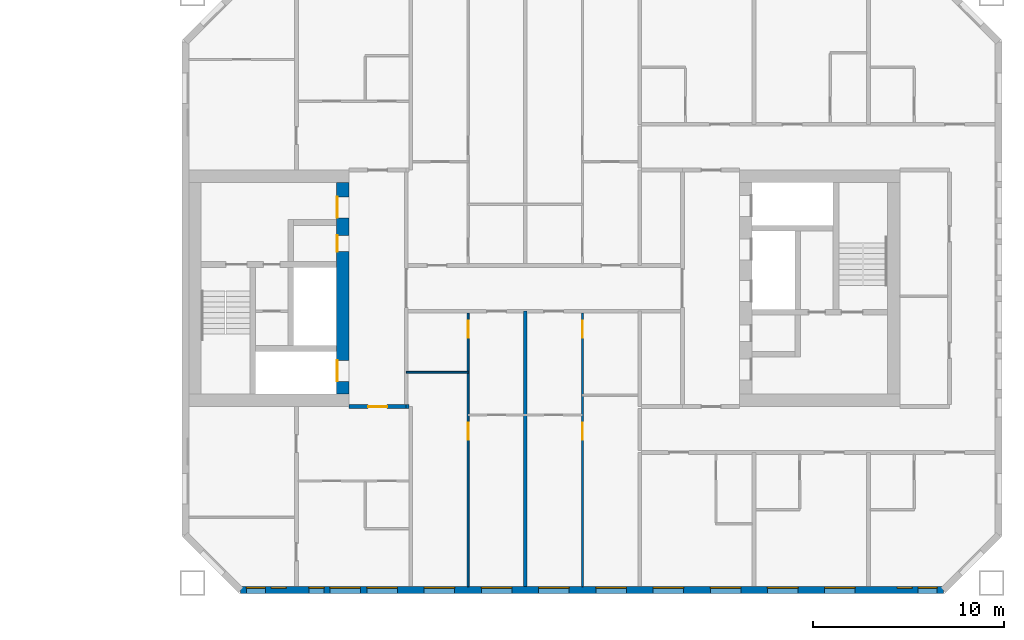
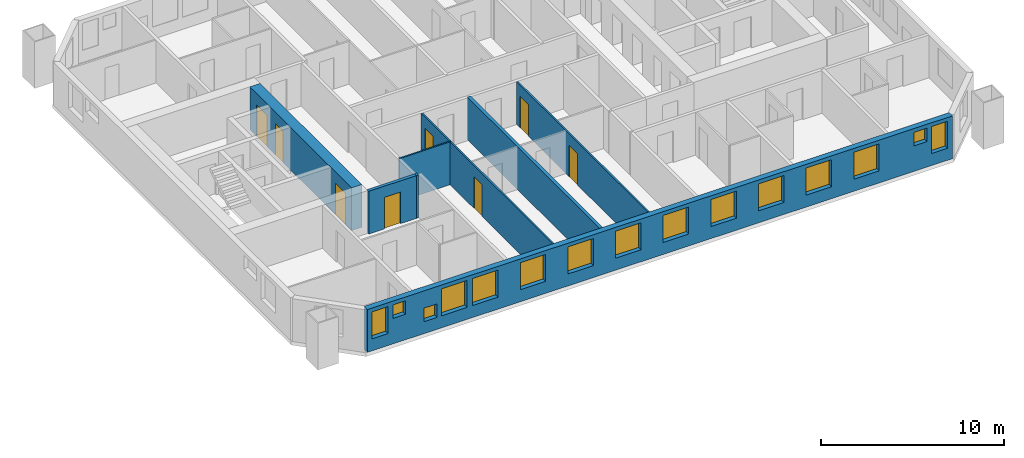
# One storey, part 10 of 17: 15 windows, 8 doors, 8 walls, 23 openings.
"""IFC4 building model written with IfcOpenShell, lengths in metres."""

from ifc_helpers import new_model, si_unit, direction, frame, frame_2d, origin, place, context, subcontext, project, spatial, rectangle, extrude, material, layer, layer_set, type_object, element, fill, save


model = new_model("IFC4")

# Units and contexts
model_context = context("Model", 3, precision=1e-05, world=origin(), true_north=direction((0.0, 1.0)))
body_context = subcontext(model_context, "Body", "Model", "MODEL_VIEW")
ifc_project = project(units=[si_unit("LENGTHUNIT", "METRE"), si_unit("AREAUNIT", "SQUARE_METRE"), si_unit("VOLUMEUNIT", "CUBIC_METRE"), si_unit("PLANEANGLEUNIT", "RADIAN"), si_unit("MASSUNIT", "GRAM", prefix="KILO")], contexts=[model_context])

# Site, building, storey
site_placement = place(None, origin())
site = spatial("IfcSite", under=ifc_project, at=site_placement, CompositionType="ELEMENT")
building_placement = place(site_placement, origin())
building = spatial("IfcBuilding", under=site, at=building_placement, Name="Tuart Gate Housing", CompositionType="ELEMENT")
storey_placement = place(building_placement, frame((0.0, 0.0, 99.5)))
storey = spatial("IfcBuildingStorey", under=building, at=storey_placement, Name="L27", CompositionType="ELEMENT", Elevation=99.5)

# Wall, openings, windows
ifc_material_1 = material(Name="Brick", Category="masonry")
ifc_layer_1 = layer(ifc_material_1, 0.360107421875)
ifc_layer_set_1 = layer_set([ifc_layer_1], Name="Brick pier and spandrel wall 360")
wall_type_1 = type_object("IfcWallType", Name="Brick pier and spandrel wall 360", PredefinedType="STANDARD", material=ifc_layer_set_1)
wall_1_placement = place(storey_placement, frame((134.07470703125, 54.179931640625, 0.0), z_axis=(0.0, 0.0, 1.0), x_axis=(1.0, 0.0, 0.0)))
wall_1 = element("IfcWall", 1, at=wall_1_placement, inside=storey, type_object=wall_type_1, Name="External wall B-S L27", PredefinedType="STANDARD", context=body_context, shape_type="SweptSolid", body=[
    extrude(rectangle(XDim=36.850830078125, YDim=0.360107421875, at=frame_2d((18.42529296875, 0.0))), origin(), (0.0, 0.0, 1.0), 2.85009765625),
])
opening_1_placement = place(wall_1_placement, frame((0.300048828125, 0.0, 0.800048828125)))
opening_1 = element("IfcOpeningElement", 2, at=opening_1_placement, cuts=wall_1, Name="Opening W1C", PredefinedType="OPENING", context=body_context, shape_type="SweptSolid", body=[
    extrude(rectangle(XDim=1.0, YDim=1.800048828125, at=frame_2d((0.5, 0.89990234375))), frame((0.0, 0.18994140625, 0.0), z_axis=(0.0, -1.0, 0.0), x_axis=(1.0, 0.0, 0.0)), (0.0, 0.0, 1.0), 0.380126953125),
])
opening_2_placement = place(wall_1_placement, frame((3.575439453125, 0.0, 0.800048828125)))
opening_2 = element("IfcOpeningElement", 3, at=opening_2_placement, cuts=wall_1, Name="Opening W1V", PredefinedType="OPENING", context=body_context, shape_type="SweptSolid", body=[
    extrude(rectangle(XDim=0.800048828125, YDim=0.89990234375, at=frame_2d((0.39990234375, 0.449951171875))), frame((0.0, 0.18994140625, 0.0), z_axis=(0.0, -1.0, 0.0), x_axis=(1.0, 0.0, 0.0)), (0.0, 0.0, 1.0), 0.380126953125),
])
opening_3_placement = place(wall_1_placement, frame((6.62548828125, 0.0, 0.800048828125)))
opening_3 = element("IfcOpeningElement", 4, at=opening_3_placement, cuts=wall_1, Name="Opening W1", PredefinedType="OPENING", context=body_context, shape_type="SweptSolid", body=[
    extrude(rectangle(XDim=1.60009765625, YDim=1.800048828125, at=frame_2d((0.800048828125, 0.89990234375))), frame((0.0, 0.18994140625, 0.0), z_axis=(0.0, -1.0, 0.0), x_axis=(1.0, 0.0, 0.0)), (0.0, 0.0, 1.0), 0.380126953125),
])
opening_4_placement = place(wall_1_placement, frame((9.62548828125, 0.0, 0.800048828125)))
opening_4 = element("IfcOpeningElement", 5, at=opening_4_placement, cuts=wall_1, Name="Opening W1", PredefinedType="OPENING", context=body_context, shape_type="SweptSolid", body=[
    extrude(rectangle(XDim=1.60009765625, YDim=1.800048828125, at=frame_2d((0.800048828125, 0.89990234375))), frame((0.0, 0.18994140625, 0.0), z_axis=(0.0, -1.0, 0.0), x_axis=(1.0, 0.0, 0.0)), (0.0, 0.0, 1.0), 0.380126953125),
])
opening_5_placement = place(wall_1_placement, frame((12.62548828125, 0.0, 0.800048828125)))
opening_5 = element("IfcOpeningElement", 6, at=opening_5_placement, cuts=wall_1, Name="Opening W1", PredefinedType="OPENING", context=body_context, shape_type="SweptSolid", body=[
    extrude(rectangle(XDim=1.60009765625, YDim=1.800048828125, at=frame_2d((0.800048828125, 0.89990234375))), frame((0.0, 0.18994140625, 0.0), z_axis=(0.0, -1.0, 0.0), x_axis=(1.0, 0.0, 0.0)), (0.0, 0.0, 1.0), 0.380126953125),
])
opening_6_placement = place(wall_1_placement, frame((15.62548828125, 0.0, 0.800048828125)))
opening_6 = element("IfcOpeningElement", 7, at=opening_6_placement, cuts=wall_1, Name="Opening W1", PredefinedType="OPENING", context=body_context, shape_type="SweptSolid", body=[
    extrude(rectangle(XDim=1.60009765625, YDim=1.800048828125, at=frame_2d((0.800048828125, 0.89990234375))), frame((0.0, 0.18994140625, 0.0), z_axis=(0.0, -1.0, 0.0), x_axis=(1.0, 0.0, 0.0)), (0.0, 0.0, 1.0), 0.380126953125),
])
opening_7_placement = place(wall_1_placement, frame((18.62548828125, 0.0, 0.800048828125)))
opening_7 = element("IfcOpeningElement", 8, at=opening_7_placement, cuts=wall_1, Name="Opening W1", PredefinedType="OPENING", context=body_context, shape_type="SweptSolid", body=[
    extrude(rectangle(XDim=1.60009765625, YDim=1.800048828125, at=frame_2d((0.800048828125, 0.89990234375))), frame((0.0, 0.18994140625, 0.0), z_axis=(0.0, -1.0, 0.0), x_axis=(1.0, 0.0, 0.0)), (0.0, 0.0, 1.0), 0.380126953125),
])
opening_8_placement = place(wall_1_placement, frame((21.62548828125, 0.0, 0.800048828125)))
opening_8 = element("IfcOpeningElement", 9, at=opening_8_placement, cuts=wall_1, Name="Opening W1", PredefinedType="OPENING", context=body_context, shape_type="SweptSolid", body=[
    extrude(rectangle(XDim=1.60009765625, YDim=1.800048828125, at=frame_2d((0.800048828125, 0.89990234375))), frame((0.0, 0.18994140625, 0.0), z_axis=(0.0, -1.0, 0.0), x_axis=(1.0, 0.0, 0.0)), (0.0, 0.0, 1.0), 0.380126953125),
])
opening_9_placement = place(wall_1_placement, frame((24.62548828125, 0.0, 0.800048828125)))
opening_9 = element("IfcOpeningElement", 10, at=opening_9_placement, cuts=wall_1, Name="Opening W1", PredefinedType="OPENING", context=body_context, shape_type="SweptSolid", body=[
    extrude(rectangle(XDim=1.60009765625, YDim=1.800048828125, at=frame_2d((0.800048828125, 0.89990234375))), frame((0.0, 0.18994140625, 0.0), z_axis=(0.0, -1.0, 0.0), x_axis=(1.0, 0.0, 0.0)), (0.0, 0.0, 1.0), 0.380126953125),
])
opening_10_placement = place(wall_1_placement, frame((27.62548828125, 0.0, 0.800048828125)))
opening_10 = element("IfcOpeningElement", 11, at=opening_10_placement, cuts=wall_1, Name="Opening W1", PredefinedType="OPENING", context=body_context, shape_type="SweptSolid", body=[
    extrude(rectangle(XDim=1.60009765625, YDim=1.800048828125, at=frame_2d((0.800048828125, 0.89990234375))), frame((0.0, 0.18994140625, 0.0), z_axis=(0.0, -1.0, 0.0), x_axis=(1.0, 0.0, 0.0)), (0.0, 0.0, 1.0), 0.380126953125),
])
opening_11_placement = place(wall_1_placement, frame((30.62548828125, 0.0, 0.800048828125)))
opening_11 = element("IfcOpeningElement", 12, at=opening_11_placement, cuts=wall_1, Name="Opening W1", PredefinedType="OPENING", context=body_context, shape_type="SweptSolid", body=[
    extrude(rectangle(XDim=1.60009765625, YDim=1.800048828125, at=frame_2d((0.800048828125, 0.89990234375))), frame((0.0, 0.18994140625, 0.0), z_axis=(0.0, -1.0, 0.0), x_axis=(1.0, 0.0, 0.0)), (0.0, 0.0, 1.0), 0.380126953125),
])
opening_12_placement = place(wall_1_placement, frame((34.42529296875, 0.0, 1.699951171875)))
opening_12 = element("IfcOpeningElement", 13, at=opening_12_placement, cuts=wall_1, Name="Opening W1V", PredefinedType="OPENING", context=body_context, shape_type="SweptSolid", body=[
    extrude(rectangle(XDim=0.800048828125, YDim=0.89990234375, at=frame_2d((0.39990234375, 0.449951171875))), frame((0.0, 0.18994140625, 0.0), z_axis=(0.0, -1.0, 0.0), x_axis=(1.0, 0.0, 0.0)), (0.0, 0.0, 1.0), 0.380126953125),
])
opening_13_placement = place(wall_1_placement, frame((1.60009765625, 0.0, 1.699951171875)))
opening_13 = element("IfcOpeningElement", 14, at=opening_13_placement, cuts=wall_1, Name="Opening W1V", PredefinedType="OPENING", context=body_context, shape_type="SweptSolid", body=[
    extrude(rectangle(XDim=0.800048828125, YDim=0.89990234375, at=frame_2d((0.39990234375, 0.449951171875))), frame((0.0, 0.18994140625, 0.0), z_axis=(0.0, -1.0, 0.0), x_axis=(1.0, 0.0, 0.0)), (0.0, 0.0, 1.0), 0.380126953125),
])
opening_14_placement = place(wall_1_placement, frame((4.67529296875, 0.0, 0.800048828125)))
opening_14 = element("IfcOpeningElement", 15, at=opening_14_placement, cuts=wall_1, Name="Opening W1", PredefinedType="OPENING", context=body_context, shape_type="SweptSolid", body=[
    extrude(rectangle(XDim=1.60009765625, YDim=1.800048828125, at=frame_2d((0.800048828125, 0.89990234375))), frame((0.0, 0.18994140625, 0.0), z_axis=(0.0, -1.0, 0.0), x_axis=(1.0, 0.0, 0.0)), (0.0, 0.0, 1.0), 0.380126953125),
])
opening_15_placement = place(wall_1_placement, frame((35.525390625, 0.0, 0.800048828125)))
opening_15 = element("IfcOpeningElement", 16, at=opening_15_placement, cuts=wall_1, Name="Opening W1C", PredefinedType="OPENING", context=body_context, shape_type="SweptSolid", body=[
    extrude(rectangle(XDim=1.0, YDim=1.800048828125, at=frame_2d((0.5, 0.89990234375))), frame((0.0, 0.18994140625, 0.0), z_axis=(0.0, -1.0, 0.0), x_axis=(1.0, 0.0, 0.0)), (0.0, 0.0, 1.0), 0.380126953125),
])
ifc_material_2 = material(Name="Aluminium frame with clear glass", Category="aluminium")
window_type_1 = type_object("IfcWindowType", Name="Punched window 1000 x 1800", PartitioningType="SINGLE_PANEL", PredefinedType="WINDOW", material=ifc_material_2)
window_1_placement = place(opening_1_placement, origin())
window_1 = element("IfcWindow", 17, at=window_1_placement, inside=storey, type_object=window_type_1, Name="Window W1C", OverallHeight=1.800048828125, OverallWidth=1.0, PartitioningType="SINGLE_PANEL", PredefinedType="WINDOW", context=body_context, shape_type="SweptSolid", body=[
    extrude(rectangle(XDim=1.0, YDim=1.800048828125, at=frame_2d((0.5, 0.89990234375))), frame((0.0, 0.150146484375, 0.0), z_axis=(0.0, -1.0, 0.0), x_axis=(1.0, 0.0, 0.0)), (0.0, 0.0, 1.0), 0.06005859375),
])
fill(opening_1, window_1)
window_2_placement = place(opening_15_placement, origin())
window_2 = element("IfcWindow", 18, at=window_2_placement, inside=storey, type_object=window_type_1, Name="Window W1C", OverallHeight=1.800048828125, OverallWidth=1.0, PartitioningType="SINGLE_PANEL", PredefinedType="WINDOW", context=body_context, shape_type="SweptSolid", body=[
    extrude(rectangle(XDim=1.0, YDim=1.800048828125, at=frame_2d((0.5, 0.89990234375))), frame((0.0, 0.150146484375, 0.0), z_axis=(0.0, -1.0, 0.0), x_axis=(1.0, 0.0, 0.0)), (0.0, 0.0, 1.0), 0.06005859375),
])
fill(opening_15, window_2)
ifc_material_3 = material(Name="Aluminium frame with clear glass", Category="aluminium")
window_type_2 = type_object("IfcWindowType", Name="Punched window 1600 x 1800", PartitioningType="SINGLE_PANEL", PredefinedType="WINDOW", material=ifc_material_3)
window_3_placement = place(opening_3_placement, origin())
window_3 = element("IfcWindow", 19, at=window_3_placement, inside=storey, type_object=window_type_2, Name="Window W1", OverallHeight=1.800048828125, OverallWidth=1.60009765625, PartitioningType="SINGLE_PANEL", PredefinedType="WINDOW", context=body_context, shape_type="SweptSolid", body=[
    extrude(rectangle(XDim=1.60009765625, YDim=1.800048828125, at=frame_2d((0.800048828125, 0.89990234375))), frame((0.0, 0.150146484375, 0.0), z_axis=(0.0, -1.0, 0.0), x_axis=(1.0, 0.0, 0.0)), (0.0, 0.0, 1.0), 0.06005859375),
])
fill(opening_3, window_3)
window_4_placement = place(opening_4_placement, origin())
window_4 = element("IfcWindow", 20, at=window_4_placement, inside=storey, type_object=window_type_2, Name="Window W1", OverallHeight=1.800048828125, OverallWidth=1.60009765625, PartitioningType="SINGLE_PANEL", PredefinedType="WINDOW", context=body_context, shape_type="SweptSolid", body=[
    extrude(rectangle(XDim=1.60009765625, YDim=1.800048828125, at=frame_2d((0.800048828125, 0.89990234375))), frame((0.0, 0.150146484375, 0.0), z_axis=(0.0, -1.0, 0.0), x_axis=(1.0, 0.0, 0.0)), (0.0, 0.0, 1.0), 0.06005859375),
])
fill(opening_4, window_4)
window_5_placement = place(opening_5_placement, origin())
window_5 = element("IfcWindow", 21, at=window_5_placement, inside=storey, type_object=window_type_2, Name="Window W1", OverallHeight=1.800048828125, OverallWidth=1.60009765625, PartitioningType="SINGLE_PANEL", PredefinedType="WINDOW", context=body_context, shape_type="SweptSolid", body=[
    extrude(rectangle(XDim=1.60009765625, YDim=1.800048828125, at=frame_2d((0.800048828125, 0.89990234375))), frame((0.0, 0.150146484375, 0.0), z_axis=(0.0, -1.0, 0.0), x_axis=(1.0, 0.0, 0.0)), (0.0, 0.0, 1.0), 0.06005859375),
])
fill(opening_5, window_5)
window_6_placement = place(opening_6_placement, origin())
window_6 = element("IfcWindow", 22, at=window_6_placement, inside=storey, type_object=window_type_2, Name="Window W1", OverallHeight=1.800048828125, OverallWidth=1.60009765625, PartitioningType="SINGLE_PANEL", PredefinedType="WINDOW", context=body_context, shape_type="SweptSolid", body=[
    extrude(rectangle(XDim=1.60009765625, YDim=1.800048828125, at=frame_2d((0.800048828125, 0.89990234375))), frame((0.0, 0.150146484375, 0.0), z_axis=(0.0, -1.0, 0.0), x_axis=(1.0, 0.0, 0.0)), (0.0, 0.0, 1.0), 0.06005859375),
])
fill(opening_6, window_6)
window_7_placement = place(opening_7_placement, origin())
window_7 = element("IfcWindow", 23, at=window_7_placement, inside=storey, type_object=window_type_2, Name="Window W1", OverallHeight=1.800048828125, OverallWidth=1.60009765625, PartitioningType="SINGLE_PANEL", PredefinedType="WINDOW", context=body_context, shape_type="SweptSolid", body=[
    extrude(rectangle(XDim=1.60009765625, YDim=1.800048828125, at=frame_2d((0.800048828125, 0.89990234375))), frame((0.0, 0.150146484375, 0.0), z_axis=(0.0, -1.0, 0.0), x_axis=(1.0, 0.0, 0.0)), (0.0, 0.0, 1.0), 0.06005859375),
])
fill(opening_7, window_7)
window_8_placement = place(opening_8_placement, origin())
window_8 = element("IfcWindow", 24, at=window_8_placement, inside=storey, type_object=window_type_2, Name="Window W1", OverallHeight=1.800048828125, OverallWidth=1.60009765625, PartitioningType="SINGLE_PANEL", PredefinedType="WINDOW", context=body_context, shape_type="SweptSolid", body=[
    extrude(rectangle(XDim=1.60009765625, YDim=1.800048828125, at=frame_2d((0.800048828125, 0.89990234375))), frame((0.0, 0.150146484375, 0.0), z_axis=(0.0, -1.0, 0.0), x_axis=(1.0, 0.0, 0.0)), (0.0, 0.0, 1.0), 0.06005859375),
])
fill(opening_8, window_8)
window_9_placement = place(opening_9_placement, origin())
window_9 = element("IfcWindow", 25, at=window_9_placement, inside=storey, type_object=window_type_2, Name="Window W1", OverallHeight=1.800048828125, OverallWidth=1.60009765625, PartitioningType="SINGLE_PANEL", PredefinedType="WINDOW", context=body_context, shape_type="SweptSolid", body=[
    extrude(rectangle(XDim=1.60009765625, YDim=1.800048828125, at=frame_2d((0.800048828125, 0.89990234375))), frame((0.0, 0.150146484375, 0.0), z_axis=(0.0, -1.0, 0.0), x_axis=(1.0, 0.0, 0.0)), (0.0, 0.0, 1.0), 0.06005859375),
])
fill(opening_9, window_9)
window_10_placement = place(opening_10_placement, origin())
window_10 = element("IfcWindow", 26, at=window_10_placement, inside=storey, type_object=window_type_2, Name="Window W1", OverallHeight=1.800048828125, OverallWidth=1.60009765625, PartitioningType="SINGLE_PANEL", PredefinedType="WINDOW", context=body_context, shape_type="SweptSolid", body=[
    extrude(rectangle(XDim=1.60009765625, YDim=1.800048828125, at=frame_2d((0.800048828125, 0.89990234375))), frame((0.0, 0.150146484375, 0.0), z_axis=(0.0, -1.0, 0.0), x_axis=(1.0, 0.0, 0.0)), (0.0, 0.0, 1.0), 0.06005859375),
])
fill(opening_10, window_10)
window_11_placement = place(opening_11_placement, origin())
window_11 = element("IfcWindow", 27, at=window_11_placement, inside=storey, type_object=window_type_2, Name="Window W1", OverallHeight=1.800048828125, OverallWidth=1.60009765625, PartitioningType="SINGLE_PANEL", PredefinedType="WINDOW", context=body_context, shape_type="SweptSolid", body=[
    extrude(rectangle(XDim=1.60009765625, YDim=1.800048828125, at=frame_2d((0.800048828125, 0.89990234375))), frame((0.0, 0.150146484375, 0.0), z_axis=(0.0, -1.0, 0.0), x_axis=(1.0, 0.0, 0.0)), (0.0, 0.0, 1.0), 0.06005859375),
])
fill(opening_11, window_11)
window_12_placement = place(opening_14_placement, origin())
window_12 = element("IfcWindow", 28, at=window_12_placement, inside=storey, type_object=window_type_2, Name="Window W1", OverallHeight=1.800048828125, OverallWidth=1.60009765625, PartitioningType="SINGLE_PANEL", PredefinedType="WINDOW", context=body_context, shape_type="SweptSolid", body=[
    extrude(rectangle(XDim=1.60009765625, YDim=1.800048828125, at=frame_2d((0.800048828125, 0.89990234375))), frame((0.0, 0.150146484375, 0.0), z_axis=(0.0, -1.0, 0.0), x_axis=(1.0, 0.0, 0.0)), (0.0, 0.0, 1.0), 0.06005859375),
])
fill(opening_14, window_12)
ifc_material_4 = material(Name="Aluminium frame with clear glass", Category="aluminium")
window_type_3 = type_object("IfcWindowType", Name="Punched window 800 x 900", PartitioningType="SINGLE_PANEL", PredefinedType="WINDOW", material=ifc_material_4)
window_13_placement = place(opening_2_placement, origin())
window_13 = element("IfcWindow", 29, at=window_13_placement, inside=storey, type_object=window_type_3, Name="Window W1V", OverallHeight=0.89990234375, OverallWidth=0.800048828125, PartitioningType="SINGLE_PANEL", PredefinedType="WINDOW", context=body_context, shape_type="SweptSolid", body=[
    extrude(rectangle(XDim=0.800048828125, YDim=0.89990234375, at=frame_2d((0.39990234375, 0.449951171875))), frame((0.0, 0.150146484375, 0.0), z_axis=(0.0, -1.0, 0.0), x_axis=(1.0, 0.0, 0.0)), (0.0, 0.0, 1.0), 0.06005859375),
])
fill(opening_2, window_13)
window_14_placement = place(opening_12_placement, origin())
window_14 = element("IfcWindow", 30, at=window_14_placement, inside=storey, type_object=window_type_3, Name="Window W1V", OverallHeight=0.89990234375, OverallWidth=0.800048828125, PartitioningType="SINGLE_PANEL", PredefinedType="WINDOW", context=body_context, shape_type="SweptSolid", body=[
    extrude(rectangle(XDim=0.800048828125, YDim=0.89990234375, at=frame_2d((0.39990234375, 0.449951171875))), frame((0.0, 0.150146484375, 0.0), z_axis=(0.0, -1.0, 0.0), x_axis=(1.0, 0.0, 0.0)), (0.0, 0.0, 1.0), 0.06005859375),
])
fill(opening_12, window_14)
window_15_placement = place(opening_13_placement, origin())
window_15 = element("IfcWindow", 31, at=window_15_placement, inside=storey, type_object=window_type_3, Name="Window W1V", OverallHeight=0.89990234375, OverallWidth=0.800048828125, PartitioningType="SINGLE_PANEL", PredefinedType="WINDOW", context=body_context, shape_type="SweptSolid", body=[
    extrude(rectangle(XDim=0.800048828125, YDim=0.89990234375, at=frame_2d((0.39990234375, 0.449951171875))), frame((0.0, 0.150146484375, 0.0), z_axis=(0.0, -1.0, 0.0), x_axis=(1.0, 0.0, 0.0)), (0.0, 0.0, 1.0), 0.06005859375),
])
fill(opening_13, window_15)

# Wall, openings, doors
ifc_material_5 = material(Name="Concrete C50", Category="concrete")
ifc_layer_2 = layer(ifc_material_5, 0.64990234375)
ifc_layer_set_2 = layer_set([ifc_layer_2], Name="Core wall 650 C50")
wall_type_2 = type_object("IfcWallType", Name="Core wall 650 C50", PredefinedType="SHEAR", material=ifc_layer_set_2)
wall_2_placement = place(storey_placement, frame((139.43505859375, 64.449951171875, 0.0), z_axis=(0.0, 0.0, 1.0), x_axis=(0.0, 1.0, 0.0)))
wall_2 = element("IfcWall", 32, at=wall_2_placement, inside=storey, type_object=wall_type_2, Name="Core wall BG front", PredefinedType="SHEAR", context=body_context, shape_type="SweptSolid", body=[
    extrude(rectangle(XDim=11.10009765625, YDim=0.64990234375, at=frame_2d((5.550048828125, 0.0))), origin(), (0.0, 0.0, 1.0), 2.85009765625),
])
opening_16_placement = place(wall_2_placement, frame((0.675048828125, 0.0, 0.0)))
opening_16 = element("IfcOpeningElement", 33, at=opening_16_placement, cuts=wall_2, Name="Opening LD-FB1", PredefinedType="OPENING", context=body_context, shape_type="SweptSolid", body=[
    extrude(rectangle(XDim=1.10009765625, YDim=2.10009765625, at=frame_2d((0.550048828125, 1.050048828125))), frame((0.0, 0.3349609375, 0.0), z_axis=(0.0, -1.0, 0.0), x_axis=(1.0, 0.0, 0.0)), (0.0, 0.0, 1.0), 0.669921875),
])
opening_17_placement = place(wall_2_placement, frame((9.25, 0.0, 0.0)))
opening_17 = element("IfcOpeningElement", 34, at=opening_17_placement, cuts=wall_2, Name="Opening D1147", PredefinedType="OPENING", context=body_context, shape_type="SweptSolid", body=[
    extrude(rectangle(XDim=1.10009765625, YDim=2.10009765625, at=frame_2d((0.550048828125, 1.050048828125))), frame((0.0, 0.3349609375, 0.0), z_axis=(0.0, -1.0, 0.0), x_axis=(1.0, 0.0, 0.0)), (0.0, 0.0, 1.0), 0.669921875),
])
opening_18_placement = place(wall_2_placement, frame((7.47509765625, 0.0, 0.0)))
opening_18 = element("IfcOpeningElement", 35, at=opening_18_placement, cuts=wall_2, Name="Opening D1148", PredefinedType="OPENING", context=body_context, shape_type="SweptSolid", body=[
    extrude(rectangle(XDim=0.85009765625, YDim=2.10009765625, at=frame_2d((0.425048828125, 1.050048828125))), frame((0.0, 0.3349609375, 0.0), z_axis=(0.0, -1.0, 0.0), x_axis=(1.0, 0.0, 0.0)), (0.0, 0.0, 1.0), 0.669921875),
])
ifc_material_6 = material(Name="Stainless steel", Category="steel")
door_type_1 = type_object("IfcDoorType", Name="Landing door 1100 x 2100", OperationType="DOUBLE_DOOR_SLIDING", PredefinedType="DOOR", material=ifc_material_6)
door_1_placement = place(opening_16_placement, origin())
door_1 = element("IfcDoor", 36, at=door_1_placement, inside=storey, type_object=door_type_1, Name="Lift landing door FB1", OperationType="DOUBLE_DOOR_SLIDING", OverallHeight=2.10009765625, OverallWidth=1.10009765625, PredefinedType="DOOR", context=body_context, shape_type="SweptSolid", body=[
    extrude(rectangle(XDim=1.10009765625, YDim=2.10009765625, at=frame_2d((0.550048828125, 1.050048828125))), frame((0.0, 0.31005859375, 0.0), z_axis=(0.0, -1.0, 0.0), x_axis=(1.0, 0.0, 0.0)), (0.0, 0.0, 1.0), 0.050048828125),
])
fill(opening_16, door_1)
ifc_material_7 = material(Name="Steel fire door", Category="steel")
door_type_2 = type_object("IfcDoorType", Name="Lobby door 1100 x 2100", OperationType="SINGLE_SWING_LEFT", PredefinedType="DOOR", material=ifc_material_7)
door_2_placement = place(opening_17_placement, origin())
door_2 = element("IfcDoor", 37, at=door_2_placement, inside=storey, type_object=door_type_2, Name="Lobby entry door BG.EN", OperationType="SINGLE_SWING_LEFT", OverallHeight=2.10009765625, OverallWidth=1.10009765625, PredefinedType="DOOR", context=body_context, shape_type="SweptSolid", body=[
    extrude(rectangle(XDim=1.10009765625, YDim=2.10009765625, at=frame_2d((0.550048828125, 1.050048828125))), frame((0.0, 0.31005859375, 0.0), z_axis=(0.0, -1.0, 0.0), x_axis=(1.0, 0.0, 0.0)), (0.0, 0.0, 1.0), 0.050048828125),
])
fill(opening_17, door_2)
ifc_material_8 = material(Name="Steel fire door", Category="steel")
door_type_3 = type_object("IfcDoorType", Name="Service door 850 x 2100", OperationType="SINGLE_SWING_LEFT", PredefinedType="DOOR", material=ifc_material_8)
door_3_placement = place(opening_18_placement, origin())
door_3 = element("IfcDoor", 38, at=door_3_placement, inside=storey, type_object=door_type_3, Name="Service room door BG.T1", OperationType="SINGLE_SWING_LEFT", OverallHeight=2.10009765625, OverallWidth=0.85009765625, PredefinedType="DOOR", context=body_context, shape_type="SweptSolid", body=[
    extrude(rectangle(XDim=0.85009765625, YDim=2.10009765625, at=frame_2d((0.425048828125, 1.050048828125))), frame((0.0, 0.31005859375, 0.0), z_axis=(0.0, -1.0, 0.0), x_axis=(1.0, 0.0, 0.0)), (0.0, 0.0, 1.0), 0.050048828125),
])
fill(opening_18, door_3)

# Wall, opening, door
ifc_material_9 = material(Name="Concrete masonry 15 MPa", Category="masonry")
ifc_layer_3 = layer(ifc_material_9, 0.199951171875)
ifc_layer_set_3 = layer_set([ifc_layer_3], Name="Enclosure wall masonry 200")
wall_type_3 = type_object("IfcWallType", Name="Enclosure wall masonry 200", PredefinedType="PARTITIONING", material=ifc_layer_set_3)
wall_3_placement = place(storey_placement, frame((139.760009765625, 63.800048828125, 0.0), z_axis=(0.0, 0.0, 1.0), x_axis=(1.0, 0.0, 0.0)))
wall_3 = element("IfcWall", 39, at=wall_3_placement, inside=storey, type_object=wall_type_3, Name="Enclosure wall masonry 200", PredefinedType="PARTITIONING", context=body_context, shape_type="SweptSolid", body=[
    extrude(rectangle(XDim=3.0, YDim=0.199951171875, at=frame_2d((1.5, 0.0))), origin(), (0.0, 0.0, 1.0), 2.85009765625),
])
opening_19_placement = place(wall_3_placement, frame((1.0, 0.0, 0.0)))
opening_19 = element("IfcOpeningElement", 40, at=opening_19_placement, cuts=wall_3, Name="Opening D1160", PredefinedType="OPENING", context=body_context, shape_type="SweptSolid", body=[
    extrude(rectangle(XDim=1.0, YDim=2.10009765625, at=frame_2d((0.5, 1.050048828125))), frame((0.0, 0.10986328125, 0.0), z_axis=(0.0, -1.0, 0.0), x_axis=(1.0, 0.0, 0.0)), (0.0, 0.0, 1.0), 0.219970703125),
])
ifc_material_10 = material(Name="Timber door leaf in steel frame", Category="steel")
door_type_4 = type_object("IfcDoorType", Name="Flat entrance door 1000", OperationType="SINGLE_SWING_LEFT", PredefinedType="DOOR", material=ifc_material_10)
door_4_placement = place(opening_19_placement, frame((1.0, 0.0, 0.0), z_axis=(0.0, 0.0, 1.0), x_axis=(-1.0, 0.0, 0.0)))
door_4 = element("IfcDoor", 41, at=door_4_placement, inside=storey, type_object=door_type_4, Name="Flat entrance door", OperationType="SINGLE_SWING_LEFT", OverallHeight=2.10009765625, OverallWidth=1.0, PredefinedType="DOOR", context=body_context, shape_type="SweptSolid", body=[
    extrude(rectangle(XDim=1.0, YDim=2.10009765625, at=frame_2d((0.5, 1.050048828125))), frame((0.0, 0.025146484375, 0.0), z_axis=(0.0, -1.0, 0.0), x_axis=(1.0, 0.0, 0.0)), (0.0, 0.0, 1.0), 0.050048828125),
])
fill(opening_19, door_4)

# Wall
ifc_material_11 = material(Name="Gypsum board on steel studs", Category="steel")
ifc_layer_4 = layer(ifc_material_11, 0.10009765625)
ifc_layer_set_4 = layer_set([ifc_layer_4], Name="Partition 100")
wall_type_4 = type_object("IfcWallType", Name="Partition 100", PredefinedType="PARTITIONING", material=ifc_layer_set_4)
wall_4_placement = place(storey_placement, frame((142.760009765625, 65.60009765625, 0.0), z_axis=(0.0, 0.0, 1.0), x_axis=(1.0, 0.0, 0.0)))
element("IfcWall", 42, at=wall_4_placement, inside=storey, type_object=wall_type_4, Name="Partition 100", PredefinedType="PARTITIONING", context=body_context, shape_type="SweptSolid", body=[
    extrude(rectangle(XDim=3.239990234375, YDim=0.10009765625, at=frame_2d((1.6201171875, 0.0))), origin(), (0.0, 0.0, 1.0), 2.85009765625),
])

# Wall, openings, doors
wall_5_placement = place(storey_placement, frame((146.0, 54.360107421875, 0.0), z_axis=(0.0, 0.0, 1.0), x_axis=(0.0, 1.0, 0.0)))
wall_5 = element("IfcWall", 43, at=wall_5_placement, inside=storey, type_object=wall_type_4, Name="Partition 100", PredefinedType="PARTITIONING", context=body_context, shape_type="SweptSolid", body=[
    extrude(rectangle(XDim=14.33984375, YDim=0.10009765625, at=frame_2d((7.169921875, 0.0))), origin(), (0.0, 0.0, 1.0), 2.85009765625),
])
opening_20_placement = place(wall_5_placement, frame((7.699951171875, 0.0, 0.0)))
opening_20 = element("IfcOpeningElement", 44, at=opening_20_placement, cuts=wall_5, Name="Opening D1165", PredefinedType="OPENING", context=body_context, shape_type="SweptSolid", body=[
    extrude(rectangle(XDim=0.89990234375, YDim=2.10009765625, at=frame_2d((0.449951171875, 1.050048828125))), frame((0.0, 0.06005859375, 0.0), z_axis=(0.0, -1.0, 0.0), x_axis=(1.0, 0.0, 0.0)), (0.0, 0.0, 1.0), 0.1201171875),
])
opening_21_placement = place(wall_5_placement, frame((13.0400390625, 0.0, 0.0)))
opening_21 = element("IfcOpeningElement", 45, at=opening_21_placement, cuts=wall_5, Name="Opening D1164", PredefinedType="OPENING", context=body_context, shape_type="SweptSolid", body=[
    extrude(rectangle(XDim=0.89990234375, YDim=2.10009765625, at=frame_2d((0.449951171875, 1.050048828125))), frame((0.0, 0.06005859375, 0.0), z_axis=(0.0, -1.0, 0.0), x_axis=(1.0, 0.0, 0.0)), (0.0, 0.0, 1.0), 0.1201171875),
])
ifc_material_12 = material(Name="Timber door leaf in steel frame", Category="steel")
door_type_5 = type_object("IfcDoorType", Name="Bathroom door 900 RH", OperationType="SINGLE_SWING_RIGHT", PredefinedType="DOOR", material=ifc_material_12)
door_5_placement = place(opening_21_placement, origin())
door_5 = element("IfcDoor", 46, at=door_5_placement, inside=storey, type_object=door_type_5, Name="Bathroom door", OperationType="SINGLE_SWING_RIGHT", OverallHeight=2.10009765625, OverallWidth=0.89990234375, PredefinedType="DOOR", context=body_context, shape_type="SweptSolid", body=[
    extrude(rectangle(XDim=0.89990234375, YDim=2.10009765625, at=frame_2d((0.449951171875, 1.050048828125))), frame((0.0, 0.02490234375, 0.0), z_axis=(0.0, -1.0, 0.0), x_axis=(1.0, 0.0, 0.0)), (0.0, 0.0, 1.0), 0.050048828125),
])
fill(opening_21, door_5)
ifc_material_13 = material(Name="Timber door leaf in steel frame", Category="steel")
door_type_6 = type_object("IfcDoorType", Name="Internal door 900 RH", OperationType="SINGLE_SWING_RIGHT", PredefinedType="DOOR", material=ifc_material_13)
door_6_placement = place(opening_20_placement, origin())
door_6 = element("IfcDoor", 47, at=door_6_placement, inside=storey, type_object=door_type_6, Name="Internal door", OperationType="SINGLE_SWING_RIGHT", OverallHeight=2.10009765625, OverallWidth=0.89990234375, PredefinedType="DOOR", context=body_context, shape_type="SweptSolid", body=[
    extrude(rectangle(XDim=0.89990234375, YDim=2.10009765625, at=frame_2d((0.449951171875, 1.050048828125))), frame((0.0, 0.02490234375, 0.0), z_axis=(0.0, -1.0, 0.0), x_axis=(1.0, 0.0, 0.0)), (0.0, 0.0, 1.0), 0.050048828125),
])
fill(opening_20, door_6)

wall_6_placement = place(storey_placement, frame((152.0, 54.360107421875, 0.0), z_axis=(0.0, 0.0, 1.0), x_axis=(0.0, 1.0, 0.0)))
wall_6 = element("IfcWall", 48, at=wall_6_placement, inside=storey, type_object=wall_type_4, Name="Partition 100", PredefinedType="PARTITIONING", context=body_context, shape_type="SweptSolid", body=[
    extrude(rectangle(XDim=14.33984375, YDim=0.10009765625, at=frame_2d((7.169921875, 0.0))), origin(), (0.0, 0.0, 1.0), 2.85009765625),
])
opening_22_placement = place(wall_6_placement, frame((7.699951171875, 0.0, 0.0)))
opening_22 = element("IfcOpeningElement", 49, at=opening_22_placement, cuts=wall_6, Name="Opening D1167", PredefinedType="OPENING", context=body_context, shape_type="SweptSolid", body=[
    extrude(rectangle(XDim=0.89990234375, YDim=2.10009765625, at=frame_2d((0.449951171875, 1.050048828125))), frame((0.0, 0.06005859375, 0.0), z_axis=(0.0, -1.0, 0.0), x_axis=(1.0, 0.0, 0.0)), (0.0, 0.0, 1.0), 0.1201171875),
])
opening_23_placement = place(wall_6_placement, frame((13.0400390625, 0.0, 0.0)))
opening_23 = element("IfcOpeningElement", 50, at=opening_23_placement, cuts=wall_6, Name="Opening D1166", PredefinedType="OPENING", context=body_context, shape_type="SweptSolid", body=[
    extrude(rectangle(XDim=0.89990234375, YDim=2.10009765625, at=frame_2d((0.449951171875, 1.050048828125))), frame((0.0, 0.06005859375, 0.0), z_axis=(0.0, -1.0, 0.0), x_axis=(1.0, 0.0, 0.0)), (0.0, 0.0, 1.0), 0.1201171875),
])
ifc_material_14 = material(Name="Timber door leaf in steel frame", Category="steel")
door_type_7 = type_object("IfcDoorType", Name="Bathroom door 900", OperationType="SINGLE_SWING_LEFT", PredefinedType="DOOR", material=ifc_material_14)
door_7_placement = place(opening_23_placement, frame((0.89990234375, 0.0, 0.0), z_axis=(0.0, 0.0, 1.0), x_axis=(-1.0, 0.0, 0.0)))
door_7 = element("IfcDoor", 51, at=door_7_placement, inside=storey, type_object=door_type_7, Name="Bathroom door", OperationType="SINGLE_SWING_LEFT", OverallHeight=2.10009765625, OverallWidth=0.89990234375, PredefinedType="DOOR", context=body_context, shape_type="SweptSolid", body=[
    extrude(rectangle(XDim=0.89990234375, YDim=2.10009765625, at=frame_2d((0.449951171875, 1.050048828125))), frame((0.0, 0.025146484375, 0.0), z_axis=(0.0, -1.0, 0.0), x_axis=(1.0, 0.0, 0.0)), (0.0, 0.0, 1.0), 0.050048828125),
])
fill(opening_23, door_7)
ifc_material_15 = material(Name="Timber door leaf in steel frame", Category="steel")
door_type_8 = type_object("IfcDoorType", Name="Internal door 900", OperationType="SINGLE_SWING_LEFT", PredefinedType="DOOR", material=ifc_material_15)
door_8_placement = place(opening_22_placement, frame((0.89990234375, 0.0, 0.0), z_axis=(0.0, 0.0, 1.0), x_axis=(-1.0, 0.0, 0.0)))
door_8 = element("IfcDoor", 52, at=door_8_placement, inside=storey, type_object=door_type_8, Name="Internal door", OperationType="SINGLE_SWING_LEFT", OverallHeight=2.10009765625, OverallWidth=0.89990234375, PredefinedType="DOOR", context=body_context, shape_type="SweptSolid", body=[
    extrude(rectangle(XDim=0.89990234375, YDim=2.10009765625, at=frame_2d((0.449951171875, 1.050048828125))), frame((0.0, 0.025146484375, 0.0), z_axis=(0.0, -1.0, 0.0), x_axis=(1.0, 0.0, 0.0)), (0.0, 0.0, 1.0), 0.050048828125),
])
fill(opening_22, door_8)

# Walls
ifc_material_16 = material(Name="Concrete C40", Category="concrete")
ifc_layer_5 = layer(ifc_material_16, 0.199951171875)
ifc_layer_set_5 = layer_set([ifc_layer_5], Name="Party wall concrete C40 200")
wall_type_5 = type_object("IfcWallType", Name="Party wall concrete C40 200", PredefinedType="SOLIDWALL", material=ifc_layer_set_5)
wall_7_placement = place(storey_placement, frame((149.0, 54.360107421875, 0.0), z_axis=(0.0, 0.0, 1.0), x_axis=(0.0, 1.0, 0.0)))
element("IfcWall", 53, at=wall_7_placement, inside=storey, type_object=wall_type_5, Name="Party wall concrete C40 200", PredefinedType="SOLIDWALL", context=body_context, shape_type="SweptSolid", body=[
    extrude(rectangle(XDim=14.43994140625, YDim=0.199951171875, at=frame_2d((7.219970703125, 0.0))), origin(), (0.0, 0.0, 1.0), 2.85009765625),
])
ifc_material_17 = material(Name="Concrete masonry 15 MPa", Category="masonry")
ifc_layer_6 = layer(ifc_material_17, 0.199951171875)
ifc_layer_set_6 = layer_set([ifc_layer_6], Name="Party wall masonry 200")
wall_type_6 = type_object("IfcWallType", Name="Party wall masonry 200", PredefinedType="PARTITIONING", material=ifc_layer_set_6)
wall_8_placement = place(storey_placement, frame((142.760009765625, 63.800048828125, 0.0), z_axis=(0.0, 0.0, 1.0), x_axis=(1.0, 0.0, 0.0)))
element("IfcWall", 54, at=wall_8_placement, inside=storey, type_object=wall_type_6, Name="Party wall masonry 200", PredefinedType="PARTITIONING", context=body_context, shape_type="SweptSolid", body=[
    extrude(rectangle(XDim=0.139892578125, YDim=0.199951171875, at=frame_2d((0.06982421875, 0.0))), origin(), (0.0, 0.0, 1.0), 2.85009765625),
])

save(model, "model.ifc")
